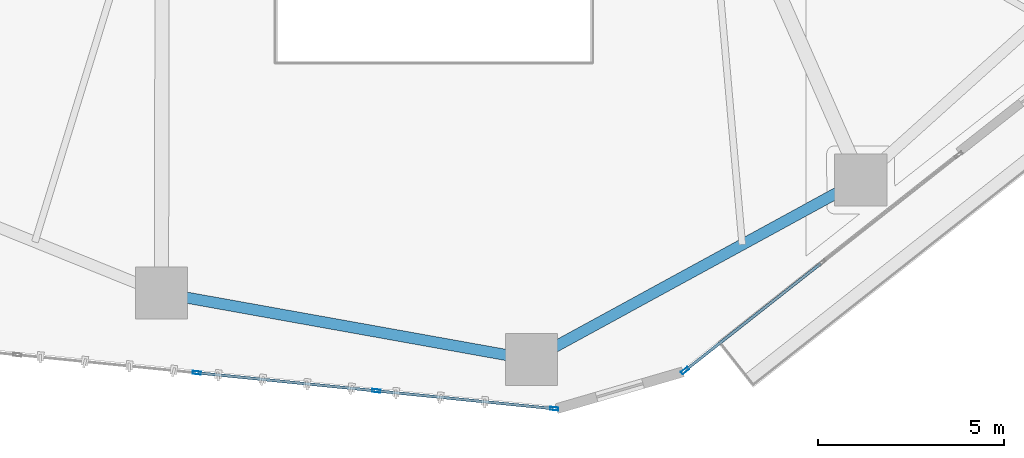
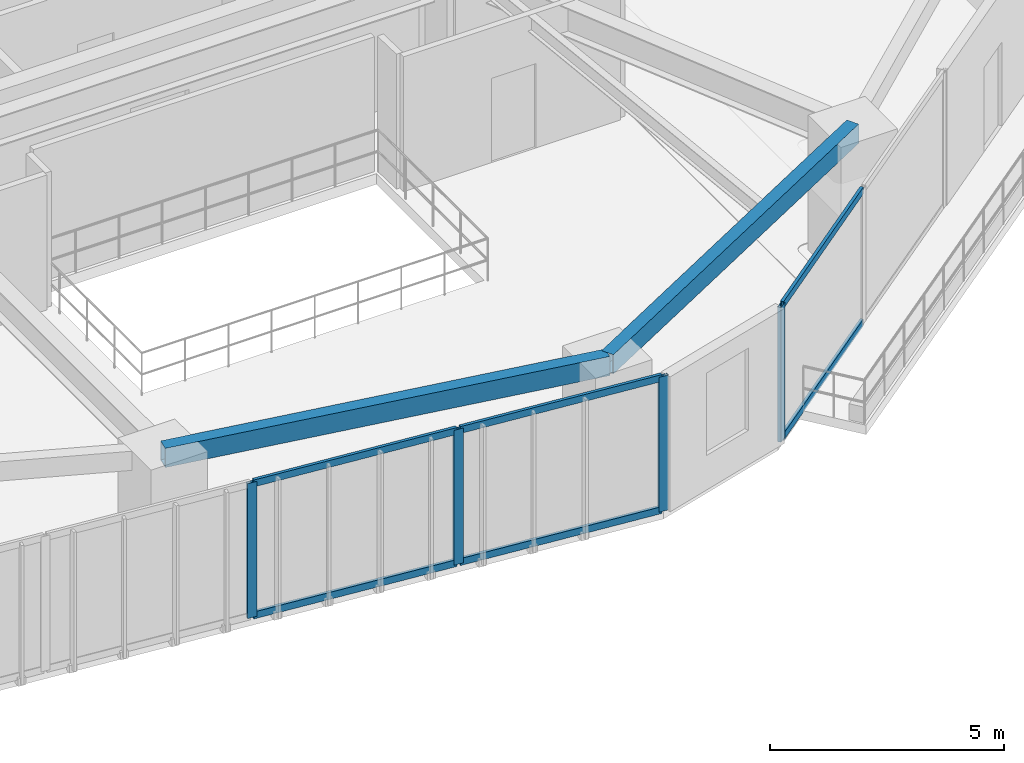
# One storey, part 4 of 24: 10 members, 2 beams, 2 elements without a shape of their own.
"""IFC4 building model written with IfcOpenShell, lengths in metres."""

from ifc_helpers import new_model, si_unit, direction, frame, origin, origin_2d, place, context, subcontext, project, spatial, hollow_rectangle, extrude, source, transform, mapped, material, layer, layer_set, material_profile, profile_set, type_object, type_shapes, element, aggregate, save


model = new_model("IFC4")

# Units and contexts
model_context = context("Model", 3, precision=1e-05, world=origin(), true_north=direction((0.0, 1.0)))
body_context = subcontext(model_context, "Body", "Model", "MODEL_VIEW")
ifc_project = project(units=[si_unit("LENGTHUNIT", "METRE"), si_unit("AREAUNIT", "SQUARE_METRE"), si_unit("VOLUMEUNIT", "CUBIC_METRE"), si_unit("PLANEANGLEUNIT", "RADIAN"), si_unit("MASSUNIT", "GRAM", prefix="KILO")], contexts=[model_context])

# Site, building, storey
site_placement = place(None, origin())
site = spatial("IfcSite", under=ifc_project, at=site_placement, CompositionType="ELEMENT")
building_placement = place(site_placement, origin())
building = spatial("IfcBuilding", under=site, at=building_placement, Name="Talar Marvaseh", CompositionType="ELEMENT")
storey_placement = place(building_placement, frame((0.0, 0.0, 73.39990234375)))
storey = spatial("IfcBuildingStorey", under=building, at=storey_placement, Name="L18", CompositionType="ELEMENT", Elevation=73.39990234375)

# Beams
ifc_material_1 = material(Name="Steel S355", Category="steel")
ifc_material_profile_1 = material_profile(ifc_material_1, hollow_rectangle(XDim=0.300048828125, YDim=0.5, WallThickness=0.02001953125, at=origin_2d()), Name="RHS500x300x20")
ifc_profile_set_1 = profile_set([ifc_material_profile_1], Name="Steel S355")
beam_type = type_object("IfcBeamType", Name="Zone 1 Perimeter Spandrel Beam RHS500x300x20", PredefinedType="SPANDREL", material=ifc_profile_set_1)
beam_1_placement = place(storey_placement, frame((37.468017578125, 16.02099609375, 3.27001953125), z_axis=(-0.877792749602, -0.47904059196, 0.0), x_axis=(0.47904059196, -0.877792749602, 0.0)))
element("IfcBeam", 1, at=beam_1_placement, inside=storey, type_object=beam_type, Name="L18 Zone 1 Perimeter Spandrel Beam RHS500x300x20", PredefinedType="SPANDREL", context=body_context, shape_type="SweptSolid", body=[
    extrude(hollow_rectangle(XDim=0.300048828125, YDim=0.5, WallThickness=0.02001953125, at=origin_2d()), origin(), (0.0, 0.0, 1.0), 10.07421875),
])
beam_2_placement = place(storey_placement, frame((28.625, 11.195068359375, 3.27001953125), z_axis=(-0.984279934962, 0.176615428632, 0.0), x_axis=(-0.176615428632, -0.984279934962, 0.0)))
element("IfcBeam", 2, at=beam_2_placement, inside=storey, type_object=beam_type, Name="L18 Zone 1 Perimeter Spandrel Beam RHS500x300x20", PredefinedType="SPANDREL", context=body_context, shape_type="SweptSolid", body=[
    extrude(hollow_rectangle(XDim=0.300048828125, YDim=0.5, WallThickness=0.02001953125, at=origin_2d()), origin(), (0.0, 0.0, 1.0), 10.1005859375),
])

# Curtain wall, member
ifc_material_2 = material(Name="Architectural Aluminium", Category="aluminium")
ifc_layer = layer(ifc_material_2, 0.219970703125)
ifc_layer_set = layer_set([ifc_layer], Name="Architectural Aluminium")
curtain_wall_type = type_object("IfcCurtainWallType", Name="Unitised Low-E Museum Curtain Wall Z1", PredefinedType="NOTDEFINED", material=ifc_layer_set)
curtain_wall_1_placement = place(storey_placement, origin())
curtain_wall_1 = element("IfcCurtainWall", 3, at=curtain_wall_1_placement, inside=storey, type_object=curtain_wall_type, Name="L18 Unitised Low-E Museum Curtain Wall Z1", PredefinedType="NOTDEFINED")
ifc_material_profile_2 = material_profile(ifc_material_2, hollow_rectangle(XDim=0.080078125, YDim=0.219970703125, WallThickness=0.0048828125, at=origin_2d()), Name="RHS220x80x5")
ifc_profile_set_2 = profile_set([ifc_material_profile_2], Name="Architectural Aluminium")
member_type_1 = type_object("IfcMemberType", Name="Unitised Curtain Wall Heavy Mullion RHS220x80x5", PredefinedType="MULLION", material=ifc_profile_set_2)
shared_shape_1 = source(origin(), body_context, "Body", "SweptSolid", [
    extrude(hollow_rectangle(XDim=0.080078125, YDim=0.219970703125, WallThickness=0.0048828125, at=origin_2d()), origin(), (0.0, 0.0, 1.0), 3.52001953125),
])
type_shapes(member_type_1, [shared_shape_1])
member_1_placement = place(storey_placement, frame((32.742919921875, 10.89697265625, 0.0), z_axis=(0.0, 0.0, 1.0), x_axis=(0.618972153017, -0.785412932023, 0.0)))
member_1 = element("IfcMember", 4, at=member_1_placement, type_object=member_type_1, Name="CW-Z1 mullion 3", PredefinedType="MULLION", context=body_context, shape_type="MappedRepresentation", body=[
    mapped(shared_shape_1, transform((0.0, 0.0, 0.0), x_axis=(1.0, 0.0, 0.0), y_axis=(0.0, 1.0, 0.0), z_axis=(0.0, 0.0, 1.0), scale=1.0)),
])

# Curtain wall, members
curtain_wall_2_placement = place(storey_placement, origin())
curtain_wall_2 = element("IfcCurtainWall", 5, at=curtain_wall_2_placement, inside=storey, type_object=curtain_wall_type, Name="L18 Unitised Low-E Museum Curtain Wall Z1", PredefinedType="NOTDEFINED")
member_2_placement = place(storey_placement, frame((29.23388671875, 9.8740234375, 0.0), z_axis=(0.0, 0.0, 1.0), x_axis=(-0.100034172249, -0.994984002074, 0.0)))
member_2 = element("IfcMember", 6, at=member_2_placement, type_object=member_type_1, Name="CW-Z1 mullion 1", PredefinedType="MULLION", context=body_context, shape_type="MappedRepresentation", body=[
    mapped(shared_shape_1, transform((0.0, 0.0, 0.0), x_axis=(1.0, 0.0, 0.0), y_axis=(0.0, 1.0, 0.0), z_axis=(0.0, 0.0, 1.0), scale=1.0)),
])
member_3_placement = place(storey_placement, frame((24.45263671875, 10.354736328125, 0.0), z_axis=(0.0, 0.0, 1.0), x_axis=(-0.100034172249, -0.994984002074, 0.0)))
member_3 = element("IfcMember", 7, at=member_3_placement, type_object=member_type_1, Name="CW-Z1 mullion 2", PredefinedType="MULLION", context=body_context, shape_type="MappedRepresentation", body=[
    mapped(shared_shape_1, transform((0.0, 0.0, 0.0), x_axis=(1.0, 0.0, 0.0), y_axis=(0.0, 1.0, 0.0), z_axis=(0.0, 0.0, 1.0), scale=1.0)),
])
member_4_placement = place(storey_placement, frame((19.631591796875, 10.839599609375, 0.0), z_axis=(0.0, 0.0, 1.0), x_axis=(-0.100034172249, -0.994984002074, 0.0)))
member_4 = element("IfcMember", 8, at=member_4_placement, type_object=member_type_1, Name="CW-Z1 mullion 3", PredefinedType="MULLION", context=body_context, shape_type="MappedRepresentation", body=[
    mapped(shared_shape_1, transform((0.0, 0.0, 0.0), x_axis=(1.0, 0.0, 0.0), y_axis=(0.0, 1.0, 0.0), z_axis=(0.0, 0.0, 1.0), scale=1.0)),
])
ifc_material_profile_3 = material_profile(ifc_material_2, hollow_rectangle(XDim=0.074951171875, YDim=0.179931640625, WallThickness=0.0048828125, at=origin_2d()), Name="RHS180x75x5")
ifc_profile_set_3 = profile_set([ifc_material_profile_3], Name="Architectural Aluminium")
member_type_2 = type_object("IfcMemberType", Name="Unitised Curtain Wall Transom RHS180x75x5", PredefinedType="USERDEFINED", material=ifc_profile_set_3)
shared_shape_2 = source(origin(), body_context, "Body", "SweptSolid", [
    extrude(hollow_rectangle(XDim=0.074951171875, YDim=0.179931640625, WallThickness=0.0048828125, at=origin_2d()), origin(), (0.0, 0.0, 1.0), 4.725341796875),
])
member_5_placement = place(storey_placement, frame((29.194091796875, 9.878173828125, 0.03759765625), z_axis=(-0.994984875806, 0.100025481336, 0.0), x_axis=(-0.100025481336, -0.994984875806, 0.0)))
member_5 = element("IfcMember", 9, at=member_5_placement, type_object=member_type_2, Name="CW-Z1 transom 1.1", ObjectType="TRANSOM", PredefinedType="USERDEFINED", context=body_context, shape_type="MappedRepresentation", body=[
    mapped(shared_shape_2, transform((0.0, 0.0, 0.0), x_axis=(1.0, 0.0, 0.0), y_axis=(0.0, 1.0, 0.0), z_axis=(0.0, 0.0, 1.0), scale=1.0)),
])
member_6_placement = place(storey_placement, frame((29.194091796875, 9.878173828125, 3.482666015625), z_axis=(-0.994984875806, 0.100025481336, 0.0), x_axis=(-0.100025481336, -0.994984875806, 0.0)))
member_6 = element("IfcMember", 10, at=member_6_placement, type_object=member_type_2, Name="CW-Z1 transom 1.2", ObjectType="TRANSOM", PredefinedType="USERDEFINED", context=body_context, shape_type="MappedRepresentation", body=[
    mapped(shared_shape_2, transform((0.0, 0.0, 0.0), x_axis=(1.0, 0.0, 0.0), y_axis=(0.0, 1.0, 0.0), z_axis=(0.0, 0.0, 1.0), scale=1.0)),
])
shared_shape_3 = source(origin(), body_context, "Body", "SweptSolid", [
    extrude(hollow_rectangle(XDim=0.074951171875, YDim=0.179931640625, WallThickness=0.0048828125, at=origin_2d()), origin(), (0.0, 0.0, 1.0), 4.765380859375),
])
member_7_placement = place(storey_placement, frame((24.412841796875, 10.35888671875, 0.03759765625), z_axis=(-0.99498684547, 0.100005886533, 0.0), x_axis=(-0.100005886533, -0.99498684547, 0.0)))
member_7 = element("IfcMember", 11, at=member_7_placement, type_object=member_type_2, Name="CW-Z1 transom 2.1", ObjectType="TRANSOM", PredefinedType="USERDEFINED", context=body_context, shape_type="MappedRepresentation", body=[
    mapped(shared_shape_3, transform((0.0, 0.0, 0.0), x_axis=(1.0, 0.0, 0.0), y_axis=(0.0, 1.0, 0.0), z_axis=(0.0, 0.0, 1.0), scale=1.0)),
])
member_8_placement = place(storey_placement, frame((24.412841796875, 10.35888671875, 3.482666015625), z_axis=(-0.99498684547, 0.100005886533, 0.0), x_axis=(-0.100005886533, -0.99498684547, 0.0)))
member_8 = element("IfcMember", 12, at=member_8_placement, type_object=member_type_2, Name="CW-Z1 transom 2.2", ObjectType="TRANSOM", PredefinedType="USERDEFINED", context=body_context, shape_type="MappedRepresentation", body=[
    mapped(shared_shape_3, transform((0.0, 0.0, 0.0), x_axis=(1.0, 0.0, 0.0), y_axis=(0.0, 1.0, 0.0), z_axis=(0.0, 0.0, 1.0), scale=1.0)),
])
aggregate(curtain_wall_2, [member_2, member_3, member_4, member_5, member_6, member_7, member_8])

# Member
shared_shape_4 = source(origin(), body_context, "Body", "SweptSolid", [
    extrude(hollow_rectangle(XDim=0.074951171875, YDim=0.179931640625, WallThickness=0.0048828125, at=origin_2d()), origin(), (0.0, 0.0, 1.0), 4.604248046875),
])
type_shapes(member_type_2, [shared_shape_2, shared_shape_3, shared_shape_4])
member_9_placement = place(storey_placement, frame((36.390625, 13.771484375, 0.03759765625), z_axis=(-0.785415898248, -0.61896838916, 0.0), x_axis=(0.61896838916, -0.785415898248, 0.0)))
member_9 = element("IfcMember", 13, at=member_9_placement, type_object=member_type_2, Name="CW-Z1 transom 2.1", ObjectType="TRANSOM", PredefinedType="USERDEFINED", context=body_context, shape_type="MappedRepresentation", body=[
    mapped(shared_shape_4, transform((0.0, 0.0, 0.0), x_axis=(1.0, 0.0, 0.0), y_axis=(0.0, 1.0, 0.0), z_axis=(0.0, 0.0, 1.0), scale=1.0)),
])

member_10_placement = place(storey_placement, frame((36.390625, 13.771484375, 3.482666015625), z_axis=(-0.785415898248, -0.61896838916, 0.0), x_axis=(0.61896838916, -0.785415898248, 0.0)))
member_10 = element("IfcMember", 14, at=member_10_placement, type_object=member_type_2, Name="CW-Z1 transom 2.2", ObjectType="TRANSOM", PredefinedType="USERDEFINED", context=body_context, shape_type="MappedRepresentation", body=[
    mapped(shared_shape_4, transform((0.0, 0.0, 0.0), x_axis=(1.0, 0.0, 0.0), y_axis=(0.0, 1.0, 0.0), z_axis=(0.0, 0.0, 1.0), scale=1.0)),
])

aggregate(curtain_wall_1, [member_1, member_9, member_10])

save(model, "model.ifc")
